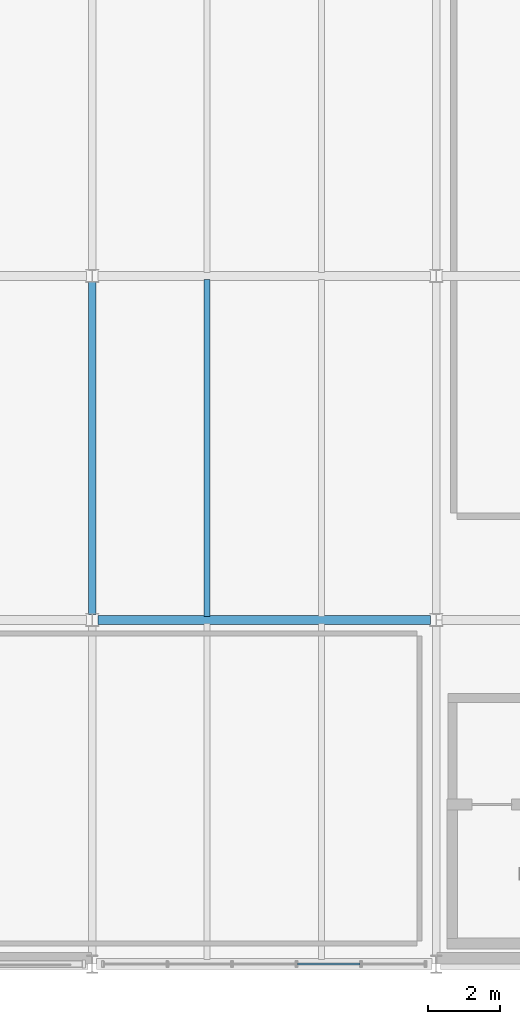
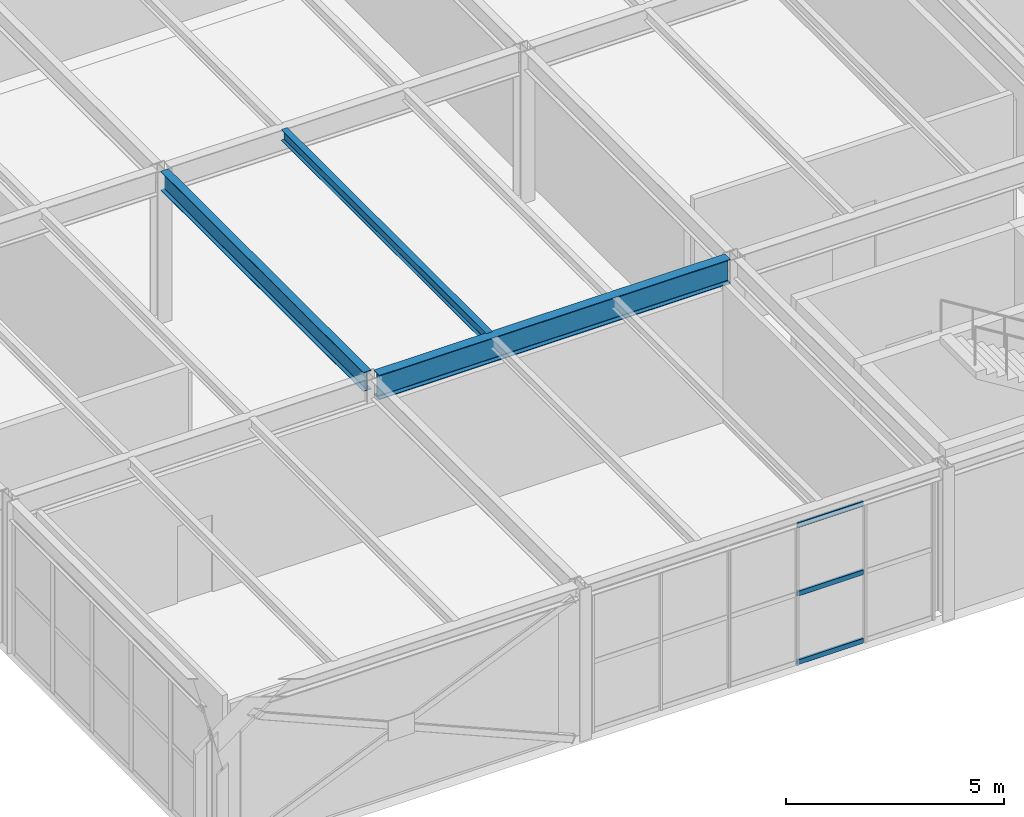
# One storey, part 19 of 170: 3 beams, 3 members, 1 element without a shape of its own.
"""IFC4 building model written with IfcOpenShell, lengths in metres."""

from ifc_helpers import new_model, si_unit, direction, frame, origin, origin_2d, place, context, subcontext, project, spatial, hollow_rectangle, i_section, extrude, material, material_profile, profile_set, type_object, element, aggregate, save


model = new_model("IFC4")

# Units and contexts
model_context = context("Model", 3, precision=1e-05, world=origin(), true_north=direction((0.0, 1.0)))
body_context = subcontext(model_context, "Body", "Model", "MODEL_VIEW")
ifc_project = project(units=[si_unit("LENGTHUNIT", "METRE"), si_unit("AREAUNIT", "SQUARE_METRE"), si_unit("VOLUMEUNIT", "CUBIC_METRE"), si_unit("PLANEANGLEUNIT", "RADIAN"), si_unit("MASSUNIT", "GRAM", prefix="KILO")], contexts=[model_context])

# Site, building, storey
site_placement = place(None, origin())
site = spatial("IfcSite", under=ifc_project, at=site_placement, CompositionType="ELEMENT")
building_placement = place(site_placement, origin())
building = spatial("IfcBuilding", under=site, at=building_placement, Name="Coralgate Yard Interchange", CompositionType="ELEMENT")
storey_placement = place(building_placement, frame((0.0, 0.0, 6.0)))
storey = spatial("IfcBuildingStorey", under=building, at=storey_placement, Name="L01", CompositionType="ELEMENT", Elevation=6.0)

# Beams
ifc_material_1 = material(Name="Structural steel S355J2", Category="steel")
ifc_material_profile_1 = material_profile(ifc_material_1, i_section(OverallWidth=0.209228515625, OverallDepth=0.533203125, WebThickness=0.010009765625, FlangeThickness=0.015625, FilletRadius=0.0126953125, at=origin_2d()), Name="UB 533x210x92")
ifc_profile_set_1 = profile_set([ifc_material_profile_1], Name="Structural steel S355J2")
beam_type_1 = type_object("IfcBeamType", Name="BM-SB-1", PredefinedType="BEAM", material=ifc_profile_set_1)
beam_1_placement = place(storey_placement, frame((9.60009765625, 9.754150390625, 3.9833984375), z_axis=(0.0, 1.0, 0.0), x_axis=(-1.0, 0.0, 0.0)))
element("IfcBeam", 1, at=beam_1_placement, inside=storey, type_object=beam_type_1, Name="L01 primary grid girder X1 Y1-2", PredefinedType="BEAM", context=body_context, shape_type="SweptSolid", body=[
    extrude(i_section(OverallWidth=0.209228515625, OverallDepth=0.533203125, WebThickness=0.010009765625, FlangeThickness=0.015625, FilletRadius=0.0126953125, at=origin_2d()), origin(), (0.0, 0.0, 1.0), 9.291748046875),
])
ifc_material_profile_2 = material_profile(ifc_material_1, i_section(OverallWidth=0.253662109375, OverallDepth=0.68359375, WebThickness=0.012451171875, FlangeThickness=0.01904296875, FilletRadius=0.01513671875, at=origin_2d()), Name="UB 686x254x140")
ifc_profile_set_2 = profile_set([ifc_material_profile_2], Name="Structural steel S355J2")
beam_type_2 = type_object("IfcBeamType", Name="BM-SG-4", PredefinedType="BEAM", material=ifc_profile_set_2)
beam_2_placement = place(storey_placement, frame((9.75634765625, 9.60009765625, 3.908203125), z_axis=(1.0, 0.0, 0.0), x_axis=(0.0, 1.0, 0.0)))
element("IfcBeam", 2, at=beam_2_placement, inside=storey, type_object=beam_type_2, Name="L01 primary grid beam Y1 X1-2", PredefinedType="BEAM", context=body_context, shape_type="SweptSolid", body=[
    extrude(i_section(OverallWidth=0.253662109375, OverallDepth=0.68359375, WebThickness=0.012451171875, FlangeThickness=0.01904296875, FilletRadius=0.01513671875, at=origin_2d()), origin(), (0.0, 0.0, 1.0), 9.287353515625),
])
ifc_material_profile_3 = material_profile(ifc_material_1, i_section(OverallWidth=0.1650390625, OverallDepth=0.303466796875, WebThickness=0.006103515625, FlangeThickness=0.01025390625, FilletRadius=0.0087890625, at=origin_2d()), Name="UB 305x165x40")
ifc_profile_set_3 = profile_set([ifc_material_profile_3], Name="Structural steel S355J2")
beam_type_3 = type_object("IfcBeamType", Name="BM-SJ-1", PredefinedType="JOIST", material=ifc_profile_set_3)
beam_3_placement = place(storey_placement, frame((12.800048828125, 9.69677734375, 4.098388671875), z_axis=(0.0, 1.0, 0.0), x_axis=(-1.0, 0.0, 0.0)))
element("IfcBeam", 3, at=beam_3_placement, inside=storey, type_object=beam_type_3, Name="L01 composite floor joist 1-1-1", PredefinedType="JOIST", context=body_context, shape_type="SweptSolid", body=[
    extrude(i_section(OverallWidth=0.1650390625, OverallDepth=0.303466796875, WebThickness=0.006103515625, FlangeThickness=0.01025390625, FilletRadius=0.0087890625, at=origin_2d()), origin(), (0.0, 0.0, 1.0), 9.40625),
])

# Curtain wall, members
ifc_material_2 = material(Name="Anodised coastal aluminium and solar-control low-E glass", Category="aluminium")
curtain_wall_type = type_object("IfcCurtainWallType", Name="CW-CW-L01-A", PredefinedType="NOTDEFINED", material=ifc_material_2)
curtain_wall_placement = place(storey_placement, origin())
curtain_wall = element("IfcCurtainWall", 4, at=curtain_wall_placement, inside=storey, type_object=curtain_wall_type, Name="L01 unitised curtain wall CW-L01-S-01-00", PredefinedType="NOTDEFINED")
ifc_material_3 = material(Name="Anodised coastal aluminium 6063-T6", Category="aluminium")
ifc_material_profile_4 = material_profile(ifc_material_3, hollow_rectangle(XDim=0.06005859375, YDim=0.139892578125, WallThickness=0.00341796875, InnerFilletRadius=0.00341796875, OuterFilletRadius=0.007080078125, at=origin_2d()), Name="ALU 60x140x3.5")
ifc_profile_set_4 = profile_set([ifc_material_profile_4], Name="Anodised coastal aluminium 6063-T6")
member_type = type_object("IfcMemberType", Name="MB-TRN-140", PredefinedType="USERDEFINED", material=ifc_profile_set_4)
member_1_placement = place(storey_placement, frame((17.070068359375, 0.0, 0.034912109375), z_axis=(-1.0, 0.0, 0.0), x_axis=(0.0, -1.0, 0.0)))
member_1 = element("IfcMember", 5, at=member_1_placement, type_object=member_type, Name="CW-L01-S-01-00 horizontal transom 2-1", ObjectType="TRANSOM", PredefinedType="USERDEFINED", context=body_context, shape_type="SweptSolid", body=[
    extrude(hollow_rectangle(XDim=0.06005859375, YDim=0.139892578125, WallThickness=0.00341796875, InnerFilletRadius=0.00341796875, OuterFilletRadius=0.007080078125, at=origin_2d()), origin(), (0.0, 0.0, 1.0), 1.739990234375),
])
member_2_placement = place(storey_placement, frame((17.070068359375, 0.0, 1.949951171875), z_axis=(-1.0, 0.0, 0.0), x_axis=(0.0, -1.0, 0.0)))
member_2 = element("IfcMember", 6, at=member_2_placement, type_object=member_type, Name="CW-L01-S-01-00 horizontal transom 2-2", ObjectType="TRANSOM", PredefinedType="USERDEFINED", context=body_context, shape_type="SweptSolid", body=[
    extrude(hollow_rectangle(XDim=0.06005859375, YDim=0.139892578125, WallThickness=0.00341796875, InnerFilletRadius=0.00341796875, OuterFilletRadius=0.007080078125, at=origin_2d()), origin(), (0.0, 0.0, 1.0), 1.739990234375),
])
member_3_placement = place(storey_placement, frame((17.070068359375, 0.0, 3.864990234375), z_axis=(-1.0, 0.0, 0.0), x_axis=(0.0, -1.0, 0.0)))
member_3 = element("IfcMember", 7, at=member_3_placement, type_object=member_type, Name="CW-L01-S-01-00 horizontal transom 2-3", ObjectType="TRANSOM", PredefinedType="USERDEFINED", context=body_context, shape_type="SweptSolid", body=[
    extrude(hollow_rectangle(XDim=0.06005859375, YDim=0.139892578125, WallThickness=0.00341796875, InnerFilletRadius=0.00341796875, OuterFilletRadius=0.007080078125, at=origin_2d()), origin(), (0.0, 0.0, 1.0), 1.739990234375),
])
aggregate(curtain_wall, [member_1, member_2, member_3])

save(model, "model.ifc")
